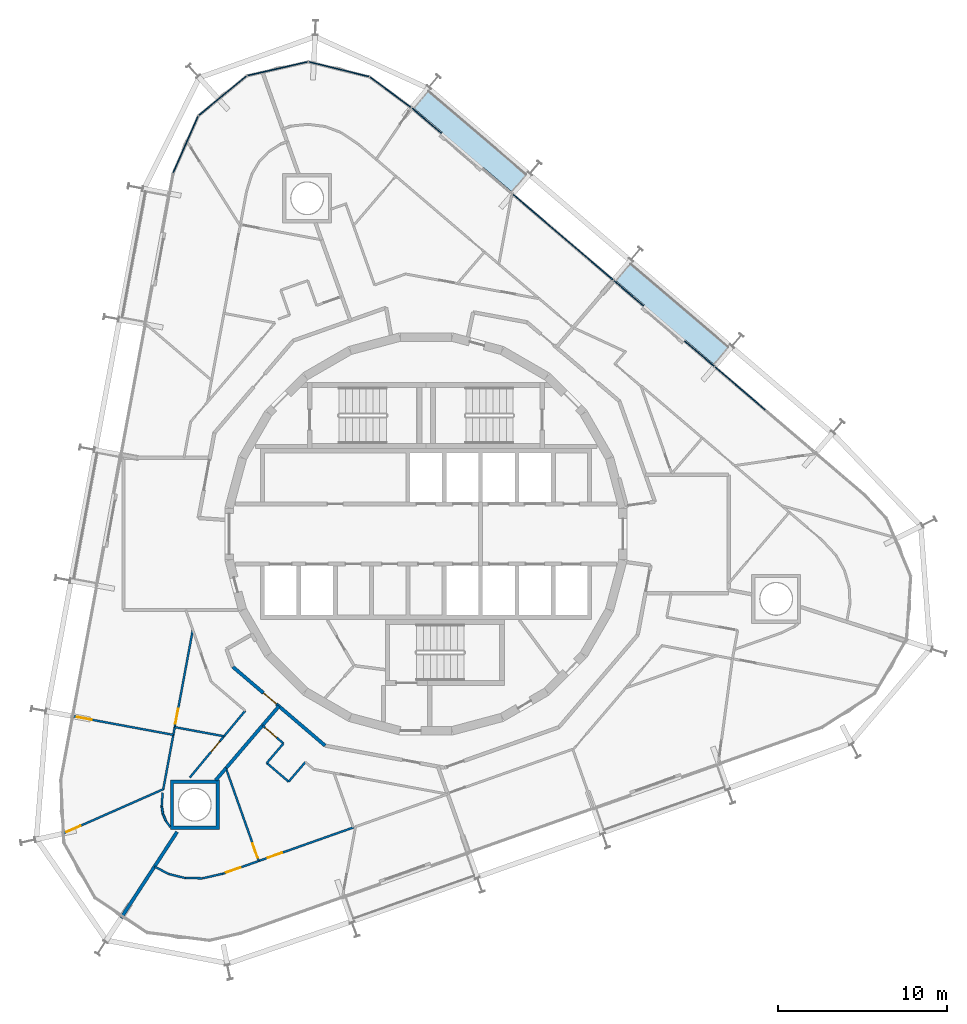
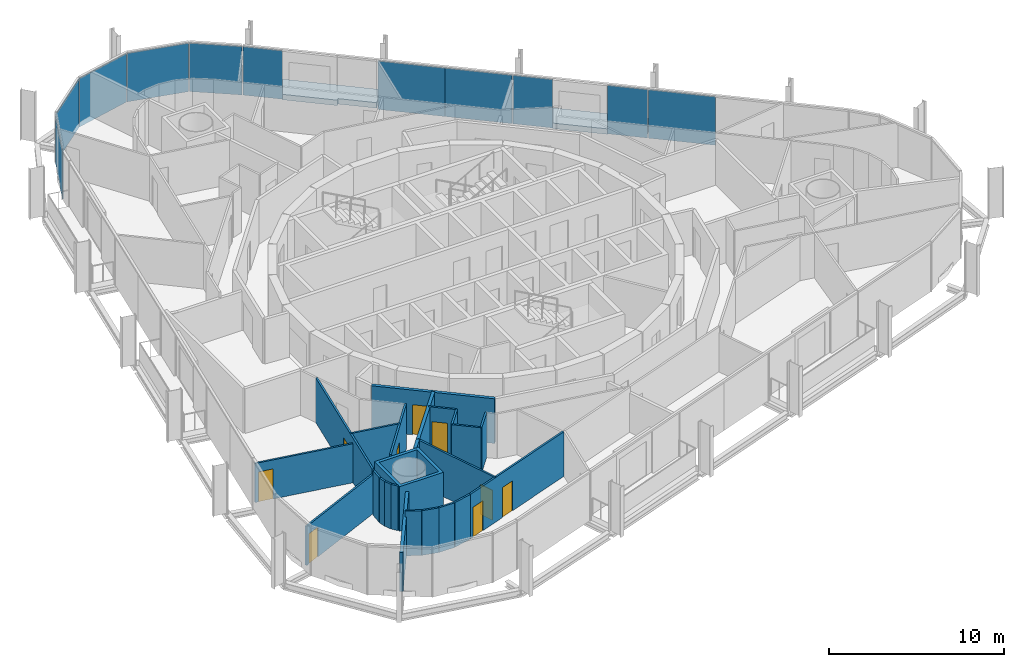
# One storey, part 10 of 17: 24 walls, 11 plates, 9 doors, 2 slabs, 9 openings, 2 elements without a shape of their own.
"""IFC4 building model written with IfcOpenShell, lengths in metres."""

from ifc_helpers import new_model, si_unit, direction, frame, frame_2d, origin, origin_2d, place, context, subcontext, project, spatial, polyline, rectangle, outline, extrude, material, layer, layer_set, type_object, element, fill, aggregate, save


model = new_model("IFC4")

# Units and contexts
model_context = context("Model", 3, precision=1e-05, world=origin(), true_north=direction((0.0, 1.0)))
body_context = subcontext(model_context, "Body", "Model", "MODEL_VIEW")
ifc_project = project(units=[si_unit("LENGTHUNIT", "METRE"), si_unit("AREAUNIT", "SQUARE_METRE"), si_unit("VOLUMEUNIT", "CUBIC_METRE"), si_unit("PLANEANGLEUNIT", "RADIAN"), si_unit("MASSUNIT", "GRAM", prefix="KILO")], contexts=[model_context])

# Site, building, storey
site_placement = place(None, origin())
site = spatial("IfcSite", under=ifc_project, at=site_placement, CompositionType="ELEMENT")
building_placement = place(site_placement, origin())
building = spatial("IfcBuilding", under=site, at=building_placement, Name="Spindle Arch Residences", CompositionType="ELEMENT")
storey_placement = place(building_placement, frame((0.0, 0.0, 158.699951171875)))
storey = spatial("IfcBuildingStorey", under=building, at=storey_placement, Name="L39", CompositionType="ELEMENT", Elevation=158.699951171875)

# Slabs
ifc_material_1 = material(Name="Concrete C40/50", Category="concrete")
ifc_layer_1 = layer(ifc_material_1, 0.3798828125)
ifc_layer_set_1 = layer_set([ifc_layer_1], Name="Balcony slab 380")
slab_type = type_object("IfcSlabType", Name="Balcony slab 380", PredefinedType="FLOOR", material=ifc_layer_set_1)
slab_1_placement = place(storey_placement, frame((0.0, 0.0, -0.3798828125)))
element("IfcSlab", 1, at=slab_1_placement, inside=storey, type_object=slab_type, Name="Balcony L39 bay 7", PredefinedType="FLOOR", context=body_context, shape_type="SweptSolid", body=[
    extrude(outline(polyline([(18.031494140625, 11.14208984375), (17.974365234375, 11.190673828125), (17.876953125, 11.07666015625), (12.128173828125, 15.986572265625), (12.2255859375, 16.1005859375), (12.168701171875, 16.1494140625), (11.200927734375, 15.016357421875), (12.915771484375, 13.5517578125), (12.811767578125, 13.43017578125), (15.2451171875, 11.351806640625), (15.34912109375, 11.4736328125), (17.063720703125, 10.009033203125), (18.031494140625, 11.14208984375)])), origin(), (0.0, 0.0, 1.0), 0.3798828125),
])
slab_2_placement = place(storey_placement, frame((0.0, 0.0, -0.3798828125)))
element("IfcSlab", 2, at=slab_2_placement, inside=storey, type_object=slab_type, Name="Balcony L39 bay 9", PredefinedType="FLOOR", context=body_context, shape_type="SweptSolid", body=[
    extrude(outline(polyline([(6.07763671875, 21.351318359375), (6.020751953125, 21.400146484375), (5.92333984375, 21.2861328125), (0.174560546875, 26.196044921875), (0.27197265625, 26.31005859375), (0.21484375, 26.358642578125), (-0.752685546875, 25.225830078125), (0.9619140625, 23.76123046875), (0.858154296875, 23.6396484375), (3.29150390625, 21.561279296875), (3.395263671875, 21.682861328125), (5.110107421875, 20.218505859375), (6.07763671875, 21.351318359375)])), origin(), (0.0, 0.0, 1.0), 0.3798828125),
])

# Curtain wall, plates
ifc_material_2 = material(Name="Aluminium bronze unitised frame with tinted glass", Category="aluminium")
ifc_layer_2 = layer(ifc_material_2, 0.159912109375)
ifc_layer_set_2 = layer_set([ifc_layer_2], Name="CW-C typical residential unitised wall")
curtain_wall_type_1 = type_object("IfcCurtainWallType", Name="CW-C typical residential unitised wall", PredefinedType="NOTDEFINED", material=ifc_layer_set_2)
curtain_wall_1_placement = place(storey_placement, origin())
curtain_wall_1 = element("IfcCurtainWall", 3, at=curtain_wall_1_placement, inside=storey, type_object=curtain_wall_type_1, Name="CW-C L39 run 2", PredefinedType="NOTDEFINED")
ifc_material_3 = material(Name="Tinted double glazing over aluminium faced non-combustible spandrel zone (K0)", Category="aluminium")
ifc_layer_3 = layer(ifc_material_3, 0.06005859375)
ifc_layer_set_3 = layer_set([ifc_layer_3], Name="Unitised glass panel with E 60 spandrel zone")
plate_type = type_object("IfcPlateType", Name="Unitised glass panel with E 60 spandrel zone", PredefinedType="CURTAIN_PANEL", material=ifc_layer_set_3)
plate_1_placement = place(storey_placement, frame((18.574462890625, 8.613525390625, -0.3798828125), z_axis=(0.0, 0.0, 1.0), x_axis=(-0.7604059656, 0.64944804833, 0.0)))
plate_1 = element("IfcPlate", 4, at=plate_1_placement, type_object=plate_type, Name="CW-C unit 05B", PredefinedType="CURTAIN_PANEL", context=body_context, shape_type="SweptSolid", body=[
    extrude(rectangle(XDim=3.900146484375, YDim=0.06005859375, at=origin_2d()), origin(), (0.0, 0.0, 1.0), 3.3798828125),
])
plate_2_placement = place(storey_placement, frame((16.171630859375, 10.665771484375, -0.3798828125), z_axis=(0.0, 0.0, 1.0), x_axis=(-0.7604059656, 0.64944804833, 0.0)))
plate_2 = element("IfcPlate", 5, at=plate_2_placement, type_object=plate_type, Name="CW-C unit 06L", PredefinedType="CURTAIN_PANEL", context=body_context, shape_type="SweptSolid", body=[
    extrude(rectangle(XDim=2.300048828125, YDim=0.06005859375, at=origin_2d()), origin(), (0.0, 0.0, 1.0), 3.3798828125),
])
plate_3_placement = place(storey_placement, frame((11.9892578125, 14.23779296875, -0.3798828125), z_axis=(0.0, 0.0, 1.0), x_axis=(-0.7604059656, 0.64944804833, 0.0)))
plate_3 = element("IfcPlate", 6, at=plate_3_placement, type_object=plate_type, Name="CW-C unit 06R", PredefinedType="CURTAIN_PANEL", context=body_context, shape_type="SweptSolid", body=[
    extrude(rectangle(XDim=2.300048828125, YDim=0.06005859375, at=origin_2d()), origin(), (0.0, 0.0, 1.0), 3.3798828125),
])
plate_4_placement = place(storey_placement, frame((9.58642578125, 16.2900390625, -0.3798828125), z_axis=(0.0, 0.0, 1.0), x_axis=(-0.7604059656, 0.64944804833, 0.0)))
plate_4 = element("IfcPlate", 7, at=plate_4_placement, type_object=plate_type, Name="CW-C unit 07A", PredefinedType="CURTAIN_PANEL", context=body_context, shape_type="SweptSolid", body=[
    extrude(rectangle(XDim=3.900146484375, YDim=0.06005859375, at=origin_2d()), origin(), (0.0, 0.0, 1.0), 3.3798828125),
])
plate_5_placement = place(storey_placement, frame((6.620849609375, 18.822998046875, -0.3798828125), z_axis=(0.0, 0.0, 1.0), x_axis=(-0.7604059656, 0.64944804833, 0.0)))
plate_5 = element("IfcPlate", 8, at=plate_5_placement, type_object=plate_type, Name="CW-C unit 07B", PredefinedType="CURTAIN_PANEL", context=body_context, shape_type="SweptSolid", body=[
    extrude(rectangle(XDim=3.900146484375, YDim=0.06005859375, at=origin_2d()), origin(), (0.0, 0.0, 1.0), 3.3798828125),
])
plate_6_placement = place(storey_placement, frame((0.03564453125, 24.447265625, -0.3798828125), z_axis=(0.0, 0.0, 1.0), x_axis=(-0.7604059656, 0.64944804833, 0.0)))
plate_6 = element("IfcPlate", 9, at=plate_6_placement, type_object=plate_type, Name="CW-C unit 08R", PredefinedType="CURTAIN_PANEL", context=body_context, shape_type="SweptSolid", body=[
    extrude(rectangle(XDim=2.300048828125, YDim=0.06005859375, at=origin_2d()), origin(), (0.0, 0.0, 1.0), 3.3798828125),
])
aggregate(curtain_wall_1, [plate_1, plate_2, plate_3, plate_4, plate_5, plate_6])

ifc_material_4 = material(Name="Aluminium bronze unitised frame with tinted glass", Category="aluminium")
ifc_layer_4 = layer(ifc_material_4, 0.159912109375)
ifc_layer_set_4 = layer_set([ifc_layer_4], Name="CW-D corner wall on the fillet arcs")
curtain_wall_type_2 = type_object("IfcCurtainWallType", Name="CW-D corner wall on the fillet arcs", PredefinedType="NOTDEFINED", material=ifc_layer_set_4)
curtain_wall_2_placement = place(storey_placement, origin())
curtain_wall_2 = element("IfcCurtainWall", 10, at=curtain_wall_2_placement, inside=storey, type_object=curtain_wall_type_2, Name="CW-D L39 run 3", PredefinedType="NOTDEFINED")
plate_7_placement = place(storey_placement, frame((-2.102294921875, 26.1298828125, -0.3798828125), z_axis=(0.0, 0.0, 1.0), x_axis=(-0.804365716131, 0.594134492109, 0.0)))
plate_7 = element("IfcPlate", 11, at=plate_7_placement, type_object=plate_type, Name="CW-D unit 00", PredefinedType="CURTAIN_PANEL", context=body_context, shape_type="SweptSolid", body=[
    extrude(rectangle(XDim=3.0244140625, YDim=0.06005859375, at=origin_2d()), origin(), (0.0, 0.0, 1.0), 3.3798828125),
])
plate_8_placement = place(storey_placement, frame((-5.152099609375, 27.49169921875, -0.3798828125), z_axis=(0.0, 0.0, 1.0), x_axis=(-0.970995342056, 0.239098401721, 0.0)))
plate_8 = element("IfcPlate", 12, at=plate_8_placement, type_object=plate_type, Name="CW-D unit 01", PredefinedType="CURTAIN_PANEL", context=body_context, shape_type="SweptSolid", body=[
    extrude(rectangle(XDim=3.666748046875, YDim=0.06005859375, at=origin_2d()), origin(), (0.0, 0.0, 1.0), 3.3798828125),
])
plate_9_placement = place(storey_placement, frame((-8.7783203125, 27.5234375, -0.3798828125), z_axis=(0.0, 0.0, 1.0), x_axis=(-0.975020297449, -0.222115779633, 0.0)))
plate_9 = element("IfcPlate", 13, at=plate_9_placement, type_object=plate_type, Name="CW-D unit 02", PredefinedType="CURTAIN_PANEL", context=body_context, shape_type="SweptSolid", body=[
    extrude(rectangle(XDim=3.666748046875, YDim=0.06005859375, at=origin_2d()), origin(), (0.0, 0.0, 1.0), 3.3798828125),
])
plate_10_placement = place(storey_placement, frame((-12.032958984375, 25.92431640625, -0.3798828125), z_axis=(0.0, 0.0, 1.0), x_axis=(-0.771624583032, -0.636078220709, 0.0)))
plate_10 = element("IfcPlate", 14, at=plate_10_placement, type_object=plate_type, Name="CW-D unit 03", PredefinedType="CURTAIN_PANEL", context=body_context, shape_type="SweptSolid", body=[
    extrude(rectangle(XDim=3.666748046875, YDim=0.06005859375, at=origin_2d()), origin(), (0.0, 0.0, 1.0), 3.3798828125),
])
plate_11_placement = place(storey_placement, frame((-14.2236328125, 23.034423828125, -0.3798828125), z_axis=(0.0, 0.0, 1.0), x_axis=(-0.404077526853, -0.914724741271, 0.0)))
plate_11 = element("IfcPlate", 15, at=plate_11_placement, type_object=plate_type, Name="CW-D unit 04", PredefinedType="CURTAIN_PANEL", context=body_context, shape_type="SweptSolid", body=[
    extrude(rectangle(XDim=3.666748046875, YDim=0.06005859375, at=origin_2d()), origin(), (0.0, 0.0, 1.0), 3.3798828125),
])
aggregate(curtain_wall_2, [plate_7, plate_8, plate_9, plate_10, plate_11])

# Wall, opening, door
ifc_material_5 = material(Name="Calcium silicate block, plastered")
ifc_layer_5 = layer(ifc_material_5, 0.199951171875)
ifc_layer_set_5 = layer_set([ifc_layer_5], Name="Corridor wall 200")
wall_type_1 = type_object("IfcWallType", Name="Corridor wall 200", PredefinedType="STANDARD", material=ifc_layer_set_5)
wall_1_placement = place(storey_placement, frame((-11.432861328125, -7.857666015625, 0.0), z_axis=(0.0, 0.0, 1.0), x_axis=(0.760412154545, -0.649440801937, 0.0)))
wall_1 = element("IfcWall", 16, at=wall_1_placement, inside=storey, type_object=wall_type_1, Name="Corridor wall R4A0-W017", PredefinedType="STANDARD", context=body_context, shape_type="SweptSolid", body=[
    extrude(rectangle(XDim=7.180908203125, YDim=0.199951171875, at=frame_2d((3.59033203125, 0.0))), origin(), (0.0, 0.0, 1.0), 3.1201171875),
])
opening_1_placement = place(wall_1_placement, frame((2.390380859375, 0.0, 0.0)))
opening_1 = element("IfcOpeningElement", 17, at=opening_1_placement, cuts=wall_1, Name="Opening R4A0-FD04", PredefinedType="OPENING", context=body_context, shape_type="SweptSolid", body=[
    extrude(rectangle(XDim=1.0, YDim=2.10009765625, at=frame_2d((0.5, 1.050048828125))), frame((0.0, 0.10986328125, 0.0), z_axis=(0.0, -1.0, 0.0), x_axis=(1.0, 0.0, 0.0)), (0.0, 0.0, 1.0), 0.219970703125),
])
ifc_material_6 = material(Name="Timber, fire-resisting door set", Category="wood")
door_type_1 = type_object("IfcDoorType", Name="Flat entrance door 1000x2100", OperationType="NOTDEFINED", PredefinedType="DOOR", material=ifc_material_6)
door_1_placement = place(opening_1_placement, origin())
door_1 = element("IfcDoor", 18, at=door_1_placement, inside=storey, type_object=door_type_1, Name="Flat entrance door R4A0-FD04", OperationType="SINGLE_SWING_RIGHT", OverallHeight=2.10009765625, OverallWidth=1.0, PredefinedType="DOOR", context=body_context, shape_type="SweptSolid", body=[
    extrude(rectangle(XDim=1.0, YDim=2.10009765625, at=frame_2d((0.5, 1.050048828125))), frame((0.0, 0.02490234375, 0.0), z_axis=(0.0, -1.0, 0.0), x_axis=(1.0, 0.0, 0.0)), (0.0, 0.0, 1.0), 0.050048828125),
])
fill(opening_1, door_1)

ifc_material_7 = material(Name="Plasterboard on steel studs", Category="steel")
ifc_layer_6 = layer(ifc_material_7, 0.1201171875)
ifc_layer_set_6 = layer_set([ifc_layer_6], Name="Flat partition 120")
wall_type_2 = type_object("IfcWallType", Name="Flat partition 120", PredefinedType="PARTITIONING", material=ifc_layer_set_6)
wall_2_placement = place(storey_placement, frame((-10.697998046875, -10.4580078125, 0.0), z_axis=(0.0, 0.0, 1.0), x_axis=(-0.63830561059, -0.769783052223, 0.0)))
wall_2 = element("IfcWall", 19, at=wall_2_placement, inside=storey, type_object=wall_type_2, Name="Flat partition R4A0-W087", PredefinedType="PARTITIONING", context=body_context, shape_type="SweptSolid", body=[
    extrude(rectangle(XDim=5.130615234375, YDim=0.1201171875, at=frame_2d((2.5654296875, 0.0))), origin(), (0.0, 0.0, 1.0), 3.1201171875),
])
opening_2_placement = place(wall_2_placement, frame((2.362548828125, 0.0, 0.0)))
opening_2 = element("IfcOpeningElement", 20, at=opening_2_placement, cuts=wall_2, Name="Opening R4A0-BD04", PredefinedType="OPENING", context=body_context, shape_type="SweptSolid", body=[
    extrude(rectangle(XDim=0.800048828125, YDim=2.10009765625, at=frame_2d((0.39990234375, 1.050048828125))), frame((0.0, 0.070068359375, 0.0), z_axis=(0.0, -1.0, 0.0), x_axis=(1.0, 0.0, 0.0)), (0.0, 0.0, 1.0), 0.14013671875),
])
ifc_material_8 = material(Name="Timber door set", Category="wood")
door_type_2 = type_object("IfcDoorType", Name="Bathroom door 800x2100", OperationType="NOTDEFINED", PredefinedType="DOOR", material=ifc_material_8)
door_2_placement = place(opening_2_placement, origin())
door_2 = element("IfcDoor", 21, at=door_2_placement, inside=storey, type_object=door_type_2, Name="Bathroom door R4A0-BD04", OperationType="SINGLE_SWING_RIGHT", OverallHeight=2.10009765625, OverallWidth=0.800048828125, PredefinedType="DOOR", context=body_context, shape_type="SweptSolid", body=[
    extrude(rectangle(XDim=0.800048828125, YDim=2.10009765625, at=frame_2d((0.39990234375, 1.050048828125))), frame((0.0, 0.02490234375, 0.0), z_axis=(0.0, -1.0, 0.0), x_axis=(1.0, 0.0, 0.0)), (0.0, 0.0, 1.0), 0.050048828125),
])
fill(opening_2, door_2)

wall_3_placement = place(storey_placement, frame((-15.55419921875, -15.149169921875, 0.0), z_axis=(0.0, 0.0, 1.0), x_axis=(0.182237116667, 0.983254612656, 0.0)))
wall_3 = element("IfcWall", 22, at=wall_3_placement, inside=storey, type_object=wall_type_2, Name="Flat partition R4A0-W089", PredefinedType="PARTITIONING", context=body_context, shape_type="SweptSolid", body=[
    extrude(rectangle(XDim=9.6376953125, YDim=0.1201171875, at=frame_2d((4.81884765625, 0.0))), origin(), (0.0, 0.0, 1.0), 3.1201171875),
])
opening_3_placement = place(wall_3_placement, frame((3.98388671875, 0.0, 0.0)))
opening_3 = element("IfcOpeningElement", 23, at=opening_3_placement, cuts=wall_3, Name="Opening R4A0-ID17", PredefinedType="OPENING", context=body_context, shape_type="SweptSolid", body=[
    extrude(rectangle(XDim=0.89990234375, YDim=2.10009765625, at=frame_2d((0.449951171875, 1.050048828125))), frame((0.0, 0.070068359375, 0.0), z_axis=(0.0, -1.0, 0.0), x_axis=(1.0, 0.0, 0.0)), (0.0, 0.0, 1.0), 0.14013671875),
])
ifc_material_9 = material(Name="Timber door set", Category="wood")
door_type_3 = type_object("IfcDoorType", Name="Room door 900x2100", OperationType="NOTDEFINED", PredefinedType="DOOR", material=ifc_material_9)
door_3_placement = place(opening_3_placement, origin())
door_3 = element("IfcDoor", 24, at=door_3_placement, inside=storey, type_object=door_type_3, Name="Room door R4A0-ID17", OperationType="SINGLE_SWING_RIGHT", OverallHeight=2.10009765625, OverallWidth=0.89990234375, PredefinedType="DOOR", context=body_context, shape_type="SweptSolid", body=[
    extrude(rectangle(XDim=0.89990234375, YDim=2.10009765625, at=frame_2d((0.449951171875, 1.050048828125))), frame((0.0, 0.02490234375, 0.0), z_axis=(0.0, -1.0, 0.0), x_axis=(1.0, 0.0, 0.0)), (0.0, 0.0, 1.0), 0.050048828125),
])
fill(opening_3, door_3)

# Walls
wall_4_placement = place(storey_placement, frame((-14.864501953125, -11.428466796875, 0.0), z_axis=(0.0, 0.0, 1.0), x_axis=(0.983255224962, -0.182233812955, 0.0)))
element("IfcWall", 25, at=wall_4_placement, inside=storey, type_object=wall_type_2, Name="Flat partition R4A0-W091", PredefinedType="PARTITIONING", context=body_context, shape_type="SweptSolid", body=[
    extrude(rectangle(XDim=2.96337890625, YDim=0.1201171875, at=frame_2d((1.481689453125, 0.0))), origin(), (0.0, 0.0, 1.0), 3.1201171875),
])
wall_5_placement = place(storey_placement, frame((-15.583984375, -15.310546875, 0.0), z_axis=(0.0, 0.0, 1.0), x_axis=(-0.066880551605, -0.997760989324, 0.0)))
element("IfcWall", 26, at=wall_5_placement, inside=storey, type_object=wall_type_2, Name="Flat partition R4A0-W092", PredefinedType="PARTITIONING", context=body_context, shape_type="SweptSolid", body=[
    extrude(rectangle(XDim=0.806640625, YDim=0.1201171875, at=frame_2d((0.4033203125, 0.0))), origin(), (0.0, 0.0, 1.0), 3.1201171875),
])
for number, where, z_axis, x_axis, name in (
    (27, (-15.637939453125, -16.115478515625, 0.0), (0.0, 0.0, 1.0), (0.16474706489, -0.986335847777, 0.0), "Flat partition R4A0-W093"),
    (28, (-15.56298828125, -16.564208984375, 0.0), (0.0, 0.0, 1.0), (0.388536778391, -0.921433216157, 0.0), "Flat partition R4A0-W094"),
):
    element("IfcWall", number, at=place(storey_placement, frame(where, z_axis=z_axis, x_axis=x_axis)), inside=storey, type_object=wall_type_2, Name=name, PredefinedType="PARTITIONING", context=body_context, shape_type="SweptSolid", body=[
        extrude(rectangle(XDim=0.454833984375, YDim=0.1201171875, at=frame_2d((0.2275390625, 0.0))), origin(), (0.0, 0.0, 1.0), 3.1201171875),
    ])
wall_6_placement = place(storey_placement, frame((-15.38623046875, -16.9833984375, 0.0), z_axis=(0.0, 0.0, 1.0), x_axis=(0.590016589342, -0.807391122258, 0.0)))
element("IfcWall", 29, at=wall_6_placement, inside=storey, type_object=wall_type_2, Name="Flat partition R4A0-W095", PredefinedType="PARTITIONING", context=body_context, shape_type="SweptSolid", body=[
    extrude(rectangle(XDim=0.432373046875, YDim=0.1201171875, at=frame_2d((0.21630859375, 0.0))), origin(), (0.0, 0.0, 1.0), 3.1201171875),
])

# Wall, opening, door
wall_7_placement = place(storey_placement, frame((-9.6767578125, -11.330078125, 0.0), z_axis=(0.0, 0.0, 1.0), x_axis=(0.760372142735, -0.649487647729, 0.0)))
wall_7 = element("IfcWall", 30, at=wall_7_placement, inside=storey, type_object=wall_type_2, Name="Flat partition R4A0-W096", PredefinedType="PARTITIONING", context=body_context, shape_type="SweptSolid", body=[
    extrude(rectangle(XDim=1.635986328125, YDim=0.1201171875, at=frame_2d((0.81787109375, 0.0))), origin(), (0.0, 0.0, 1.0), 3.1201171875),
])
opening_4_placement = place(wall_7_placement, frame((0.199951171875, 0.0, 0.0)))
opening_4 = element("IfcOpeningElement", 31, at=opening_4_placement, cuts=wall_7, Name="Opening R4A0-ID20", PredefinedType="OPENING", context=body_context, shape_type="SweptSolid", body=[
    extrude(rectangle(XDim=0.89990234375, YDim=2.10009765625, at=frame_2d((0.449951171875, 1.050048828125))), frame((0.0, 0.070068359375, 0.0), z_axis=(0.0, -1.0, 0.0), x_axis=(1.0, 0.0, 0.0)), (0.0, 0.0, 1.0), 0.14013671875),
])
door_4_placement = place(opening_4_placement, origin())
door_4 = element("IfcDoor", 32, at=door_4_placement, inside=storey, type_object=door_type_3, Name="Room door R4A0-ID20", OperationType="SINGLE_SWING_LEFT", OverallHeight=2.10009765625, OverallWidth=0.89990234375, PredefinedType="DOOR", context=body_context, shape_type="SweptSolid", body=[
    extrude(rectangle(XDim=0.89990234375, YDim=2.10009765625, at=frame_2d((0.449951171875, 1.050048828125))), frame((0.0, 0.02490234375, 0.0), z_axis=(0.0, -1.0, 0.0), x_axis=(1.0, 0.0, 0.0)), (0.0, 0.0, 1.0), 0.050048828125),
])
fill(opening_4, door_4)

# Walls
wall_8_placement = place(storey_placement, frame((-8.432861328125, -12.392578125, 0.0), z_axis=(0.0, 0.0, 1.0), x_axis=(-0.649443355674, -0.760409973482, 0.0)))
element("IfcWall", 33, at=wall_8_placement, inside=storey, type_object=wall_type_2, Name="Flat partition R4A0-W097", PredefinedType="PARTITIONING", context=body_context, shape_type="SweptSolid", body=[
    extrude(rectangle(XDim=1.5224609375, YDim=0.1201171875, at=frame_2d((0.76123046875, 0.0))), origin(), (0.0, 0.0, 1.0), 3.1201171875),
])
wall_9_placement = place(storey_placement, frame((-9.421630859375, -13.55029296875, 0.0), z_axis=(0.0, 0.0, 1.0), x_axis=(0.760431300628, -0.649418383652, 0.0)))
element("IfcWall", 34, at=wall_9_placement, inside=storey, type_object=wall_type_2, Name="Flat partition R4A0-W098", PredefinedType="PARTITIONING", context=body_context, shape_type="SweptSolid", body=[
    extrude(rectangle(XDim=1.699951171875, YDim=0.1201171875, at=frame_2d((0.85009765625, 0.0))), origin(), (0.0, 0.0, 1.0), 3.1201171875),
])
wall_10_placement = place(storey_placement, frame((-8.12890625, -14.654296875, 0.0), z_axis=(0.0, 0.0, 1.0), x_axis=(0.649443355674, 0.760409973482, 0.0)))
element("IfcWall", 35, at=wall_10_placement, inside=storey, type_object=wall_type_2, Name="Flat partition R4A0-W099", PredefinedType="PARTITIONING", context=body_context, shape_type="SweptSolid", body=[
    extrude(rectangle(XDim=1.5224609375, YDim=0.1201171875, at=frame_2d((0.76123046875, 0.0))), origin(), (0.0, 0.0, 1.0), 3.1201171875),
])

# Wall, opening, door
wall_11_placement = place(storey_placement, frame((-9.895263671875, -19.345703125, 0.0), z_axis=(0.0, 0.0, 1.0), x_axis=(-0.333781129158, 0.942650602195, 0.0)))
wall_11 = element("IfcWall", 36, at=wall_11_placement, inside=storey, type_object=wall_type_2, Name="Flat partition R4A0-W102", PredefinedType="PARTITIONING", context=body_context, shape_type="SweptSolid", body=[
    extrude(rectangle(XDim=5.8193359375, YDim=0.1201171875, at=frame_2d((2.90966796875, 0.0))), origin(), (0.0, 0.0, 1.0), 3.1201171875),
])
opening_5_placement = place(wall_11_placement, frame((0.199951171875, 0.0, 0.0)))
opening_5 = element("IfcOpeningElement", 37, at=opening_5_placement, cuts=wall_11, Name="Opening R4A0-ID21", PredefinedType="OPENING", context=body_context, shape_type="SweptSolid", body=[
    extrude(rectangle(XDim=0.89990234375, YDim=2.10009765625, at=frame_2d((0.449951171875, 1.050048828125))), frame((0.0, 0.070068359375, 0.0), z_axis=(0.0, -1.0, 0.0), x_axis=(1.0, 0.0, 0.0)), (0.0, 0.0, 1.0), 0.14013671875),
])
door_5_placement = place(opening_5_placement, origin())
door_5 = element("IfcDoor", 38, at=door_5_placement, inside=storey, type_object=door_type_3, Name="Room door R4A0-ID21", OperationType="SINGLE_SWING_LEFT", OverallHeight=2.10009765625, OverallWidth=0.89990234375, PredefinedType="DOOR", context=body_context, shape_type="SweptSolid", body=[
    extrude(rectangle(XDim=0.89990234375, YDim=2.10009765625, at=frame_2d((0.449951171875, 1.050048828125))), frame((0.0, 0.02490234375, 0.0), z_axis=(0.0, -1.0, 0.0), x_axis=(1.0, 0.0, 0.0)), (0.0, 0.0, 1.0), 0.050048828125),
])
fill(opening_5, door_5)

# Walls
wall_12_placement = place(storey_placement, frame((-16.065185546875, -19.679931640625, 0.0), z_axis=(0.0, 0.0, 1.0), x_axis=(0.889684645268, -0.456575549033, 0.0)))
element("IfcWall", 39, at=wall_12_placement, inside=storey, type_object=wall_type_2, Name="Flat partition R4A0-W103", PredefinedType="PARTITIONING", context=body_context, shape_type="SweptSolid", body=[
    extrude(rectangle(XDim=0.95703125, YDim=0.1201171875, at=frame_2d((0.478515625, 0.0))), origin(), (0.0, 0.0, 1.0), 3.1201171875),
])
wall_13_placement = place(storey_placement, frame((-15.213623046875, -20.116943359375, 0.0), z_axis=(0.0, 0.0, 1.0), x_axis=(0.970998575146, -0.239085271534, 0.0)))
element("IfcWall", 40, at=wall_13_placement, inside=storey, type_object=wall_type_2, Name="Flat partition R4A0-W104", PredefinedType="PARTITIONING", context=body_context, shape_type="SweptSolid", body=[
    extrude(rectangle(XDim=1.01611328125, YDim=0.1201171875, at=frame_2d((0.508056640625, 0.0))), origin(), (0.0, 0.0, 1.0), 3.1201171875),
])
wall_14_placement = place(storey_placement, frame((-14.22705078125, -20.35986328125, 0.0), z_axis=(0.0, 0.0, 1.0), x_axis=(0.999960467683, -0.008891741722, 0.0)))
element("IfcWall", 41, at=wall_14_placement, inside=storey, type_object=wall_type_2, Name="Flat partition R4A0-W105", PredefinedType="PARTITIONING", context=body_context, shape_type="SweptSolid", body=[
    extrude(rectangle(XDim=1.015869140625, YDim=0.1201171875, at=frame_2d((0.5078125, 0.0))), origin(), (0.0, 0.0, 1.0), 3.1201171875),
])
wall_15_placement = place(storey_placement, frame((-13.211181640625, -20.368896484375, 0.0), z_axis=(0.0, 0.0, 1.0), x_axis=(0.974997834831, 0.222214360642, 0.0)))
element("IfcWall", 42, at=wall_15_placement, inside=storey, type_object=wall_type_2, Name="Flat partition R4A0-W106", PredefinedType="PARTITIONING", context=body_context, shape_type="SweptSolid", body=[
    extrude(rectangle(XDim=1.227294921875, YDim=0.1201171875, at=frame_2d((0.61376953125, 0.0))), origin(), (0.0, 0.0, 1.0), 3.1201171875),
])

# Wall, openings, doors
wall_16_placement = place(storey_placement, frame((-12.0146484375, -20.09619140625, 0.0), z_axis=(0.0, 0.0, 1.0), x_axis=(0.942638718556, 0.333814688531, 0.0)))
wall_16 = element("IfcWall", 43, at=wall_16_placement, inside=storey, type_object=wall_type_2, Name="Flat partition R4A0-W107", PredefinedType="PARTITIONING", context=body_context, shape_type="SweptSolid", body=[
    extrude(rectangle(XDim=8.216064453125, YDim=0.1201171875, at=frame_2d((4.10791015625, 0.0))), origin(), (0.0, 0.0, 1.0), 3.1201171875),
])
opening_6_placement = place(wall_16_placement, frame((2.80859375, 0.0, 0.0)))
opening_6 = element("IfcOpeningElement", 44, at=opening_6_placement, cuts=wall_16, Name="Opening R4A0-ID22", PredefinedType="OPENING", context=body_context, shape_type="SweptSolid", body=[
    extrude(rectangle(XDim=0.89990234375, YDim=2.10009765625, at=frame_2d((0.449951171875, 1.050048828125))), frame((0.0, 0.070068359375, 0.0), z_axis=(0.0, -1.0, 0.0), x_axis=(1.0, 0.0, 0.0)), (0.0, 0.0, 1.0), 0.14013671875),
])
opening_7_placement = place(wall_16_placement, frame((0.199951171875, 0.0, 0.0)))
opening_7 = element("IfcOpeningElement", 45, at=opening_7_placement, cuts=wall_16, Name="Opening R4A0-ID24", PredefinedType="OPENING", context=body_context, shape_type="SweptSolid", body=[
    extrude(rectangle(XDim=0.89990234375, YDim=2.10009765625, at=frame_2d((0.449951171875, 1.050048828125))), frame((0.0, 0.070068359375, 0.0), z_axis=(0.0, -1.0, 0.0), x_axis=(1.0, 0.0, 0.0)), (0.0, 0.0, 1.0), 0.14013671875),
])
door_6_placement = place(opening_6_placement, origin())
door_6 = element("IfcDoor", 46, at=door_6_placement, inside=storey, type_object=door_type_3, Name="Room door R4A0-ID22", OperationType="SINGLE_SWING_LEFT", OverallHeight=2.10009765625, OverallWidth=0.89990234375, PredefinedType="DOOR", context=body_context, shape_type="SweptSolid", body=[
    extrude(rectangle(XDim=0.89990234375, YDim=2.10009765625, at=frame_2d((0.449951171875, 1.050048828125))), frame((0.0, 0.02490234375, 0.0), z_axis=(0.0, -1.0, 0.0), x_axis=(1.0, 0.0, 0.0)), (0.0, 0.0, 1.0), 0.050048828125),
])
fill(opening_6, door_6)
door_7_placement = place(opening_7_placement, origin())
door_7 = element("IfcDoor", 47, at=door_7_placement, inside=storey, type_object=door_type_3, Name="Room door R4A0-ID24", OperationType="SINGLE_SWING_LEFT", OverallHeight=2.10009765625, OverallWidth=0.89990234375, PredefinedType="DOOR", context=body_context, shape_type="SweptSolid", body=[
    extrude(rectangle(XDim=0.89990234375, YDim=2.10009765625, at=frame_2d((0.449951171875, 1.050048828125))), frame((0.0, 0.02490234375, 0.0), z_axis=(0.0, -1.0, 0.0), x_axis=(1.0, 0.0, 0.0)), (0.0, 0.0, 1.0), 0.050048828125),
])
fill(opening_7, door_7)

# Wall, opening, door
ifc_material_10 = material(Name="Plasterboard on steel studs", Category="steel")
ifc_layer_7 = layer(ifc_material_10, 0.1201171875)
ifc_layer_set_7 = layer_set([ifc_layer_7], Name="Flat partition 120 under beam 2730")
wall_type_3 = type_object("IfcWallType", Name="Flat partition 120 under beam 2730", PredefinedType="PARTITIONING", material=ifc_layer_set_7)
wall_17_placement = place(storey_placement, frame((-20.8486328125, -10.79150390625, 0.0), z_axis=(0.0, 0.0, 1.0), x_axis=(0.983251500113, -0.182253909494, 0.0)))
wall_17 = element("IfcWall", 48, at=wall_17_placement, inside=storey, type_object=wall_type_3, Name="Flat partition R4A0-W088", PredefinedType="PARTITIONING", context=body_context, shape_type="SweptSolid", body=[
    extrude(rectangle(XDim=6.0, YDim=0.1201171875, at=frame_2d((3.0, 0.0))), origin(), (0.0, 0.0, 1.0), 2.72998046875),
])
opening_8_placement = place(wall_17_placement, frame((0.199951171875, 0.0, 0.0)))
opening_8 = element("IfcOpeningElement", 49, at=opening_8_placement, cuts=wall_17, Name="Opening R4A0-ID18", PredefinedType="OPENING", context=body_context, shape_type="SweptSolid", body=[
    extrude(rectangle(XDim=0.89990234375, YDim=2.10009765625, at=frame_2d((0.449951171875, 1.050048828125))), frame((0.0, 0.070068359375, 0.0), z_axis=(0.0, -1.0, 0.0), x_axis=(1.0, 0.0, 0.0)), (0.0, 0.0, 1.0), 0.14013671875),
])
door_8_placement = place(opening_8_placement, origin())
door_8 = element("IfcDoor", 50, at=door_8_placement, inside=storey, type_object=door_type_3, Name="Room door R4A0-ID18", OperationType="SINGLE_SWING_RIGHT", OverallHeight=2.10009765625, OverallWidth=0.89990234375, PredefinedType="DOOR", context=body_context, shape_type="SweptSolid", body=[
    extrude(rectangle(XDim=0.89990234375, YDim=2.10009765625, at=frame_2d((0.449951171875, 1.050048828125))), frame((0.0, 0.02490234375, 0.0), z_axis=(0.0, -1.0, 0.0), x_axis=(1.0, 0.0, 0.0)), (0.0, 0.0, 1.0), 0.050048828125),
])
fill(opening_8, door_8)

wall_18_placement = place(storey_placement, frame((-21.45458984375, -17.710205078125, 0.0), z_axis=(0.0, 0.0, 1.0), x_axis=(0.914829518237, 0.403840256243, 0.0)))
wall_18 = element("IfcWall", 51, at=wall_18_placement, inside=storey, type_object=wall_type_3, Name="Flat partition R4A0-W090", PredefinedType="PARTITIONING", context=body_context, shape_type="SweptSolid", body=[
    extrude(rectangle(XDim=6.45947265625, YDim=0.1201171875, at=frame_2d((3.229736328125, 0.0))), origin(), (0.0, 0.0, 1.0), 2.72998046875),
])
opening_9_placement = place(wall_18_placement, frame((0.199951171875, 0.0, 0.0)))
opening_9 = element("IfcOpeningElement", 52, at=opening_9_placement, cuts=wall_18, Name="Opening R4A0-ID19", PredefinedType="OPENING", context=body_context, shape_type="SweptSolid", body=[
    extrude(rectangle(XDim=0.89990234375, YDim=2.10009765625, at=frame_2d((0.449951171875, 1.050048828125))), frame((0.0, 0.070068359375, 0.0), z_axis=(0.0, -1.0, 0.0), x_axis=(1.0, 0.0, 0.0)), (0.0, 0.0, 1.0), 0.14013671875),
])
door_9_placement = place(opening_9_placement, origin())
door_9 = element("IfcDoor", 53, at=door_9_placement, inside=storey, type_object=door_type_3, Name="Room door R4A0-ID19", OperationType="SINGLE_SWING_RIGHT", OverallHeight=2.10009765625, OverallWidth=0.89990234375, PredefinedType="DOOR", context=body_context, shape_type="SweptSolid", body=[
    extrude(rectangle(XDim=0.89990234375, YDim=2.10009765625, at=frame_2d((0.449951171875, 1.050048828125))), frame((0.0, 0.02490234375, 0.0), z_axis=(0.0, -1.0, 0.0), x_axis=(1.0, 0.0, 0.0)), (0.0, 0.0, 1.0), 0.050048828125),
])
fill(opening_9, door_9)

# Walls
ifc_material_11 = material(Name="Calcium silicate block, plastered")
ifc_layer_8 = layer(ifc_material_11, 0.199951171875)
ifc_layer_set_8 = layer_set([ifc_layer_8], Name="Flat party wall 200")
wall_type_4 = type_object("IfcWallType", Name="Flat party wall 200", PredefinedType="STANDARD", material=ifc_layer_set_8)
wall_19_placement = place(storey_placement, frame((-11.837646484375, -13.860107421875, 0.0), z_axis=(0.0, 0.0, 1.0), x_axis=(0.64944503311, 0.760408540831, 0.0)))
element("IfcWall", 54, at=wall_19_placement, inside=storey, type_object=wall_type_4, Name="Flat party wall R4A0-W035", PredefinedType="STANDARD", context=body_context, shape_type="SweptSolid", body=[
    extrude(rectangle(XDim=4.8271484375, YDim=0.199951171875, at=frame_2d((2.41357421875, 0.0))), origin(), (0.0, 0.0, 1.0), 3.1201171875),
])
wall_20_placement = place(storey_placement, frame((-12.44287109375, -14.568603515625, 0.0), z_axis=(0.0, 0.0, 1.0), x_axis=(0.649517408851, 0.760346720648, 0.0)))
element("IfcWall", 55, at=wall_20_placement, inside=storey, type_object=wall_type_4, Name="Flat party wall R4A0-W036", PredefinedType="STANDARD", context=body_context, shape_type="SweptSolid", body=[
    extrude(rectangle(XDim=0.931884765625, YDim=0.199951171875, at=frame_2d((0.4658203125, 0.0))), origin(), (0.0, 0.0, 1.0), 3.1201171875),
])
ifc_material_12 = material(Name="Calcium silicate block, plastered")
ifc_layer_9 = layer(ifc_material_12, 0.199951171875)
ifc_layer_set_9 = layer_set([ifc_layer_9], Name="Flat party wall 200 under beam 2730")
wall_type_5 = type_object("IfcWallType", Name="Flat party wall 200 under beam 2730", PredefinedType="STANDARD", material=ifc_layer_set_9)
wall_21_placement = place(storey_placement, frame((-18.039794921875, -22.712890625, 0.0), z_axis=(0.0, 0.0, 1.0), x_axis=(0.545629831617, 0.83802630439, 0.0)))
element("IfcWall", 56, at=wall_21_placement, inside=storey, type_object=wall_type_5, Name="Flat party wall R4A0-W037", PredefinedType="STANDARD", context=body_context, shape_type="SweptSolid", body=[
    extrude(rectangle(XDim=6.07177734375, YDim=0.199951171875, at=frame_2d((3.035888671875, 0.0))), origin(), (0.0, 0.0, 1.0), 2.72998046875),
])
ifc_material_13 = material(Name="Calcium silicate block, plastered")
ifc_layer_10 = layer(ifc_material_13, 0.199951171875)
ifc_layer_set_10 = layer_set([ifc_layer_10], Name="Mega-column casing wall 200")
wall_type_6 = type_object("IfcWallType", Name="Mega-column casing wall 200", PredefinedType="STANDARD", material=ifc_layer_set_10)
wall_22_placement = place(storey_placement, origin())
element("IfcWall", 57, at=wall_22_placement, inside=storey, type_object=wall_type_6, Name="Mega-column casing wall R4A0-WC02", PredefinedType="STANDARD", context=body_context, shape_type="SweptSolid", body=[
    extrude(outline(polyline([(-12.231201171875, -14.568603515625), (-12.231201171875, -17.468505859375), (-15.131103515625, -17.468505859375), (-15.131103515625, -14.568603515625), (-12.231201171875, -14.568603515625)]), holes=[polyline([(-14.93115234375, -17.2685546875), (-12.43115234375, -17.2685546875), (-12.43115234375, -14.7685546875), (-14.93115234375, -14.7685546875), (-14.93115234375, -17.2685546875)])]), origin(), (0.0, 0.0, 1.0), 3.1201171875),
])

save(model, "model.ifc")
